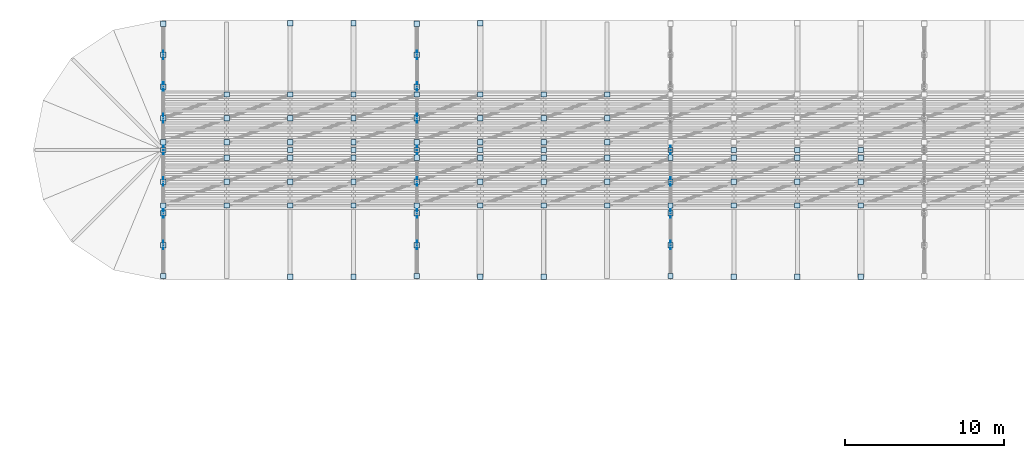
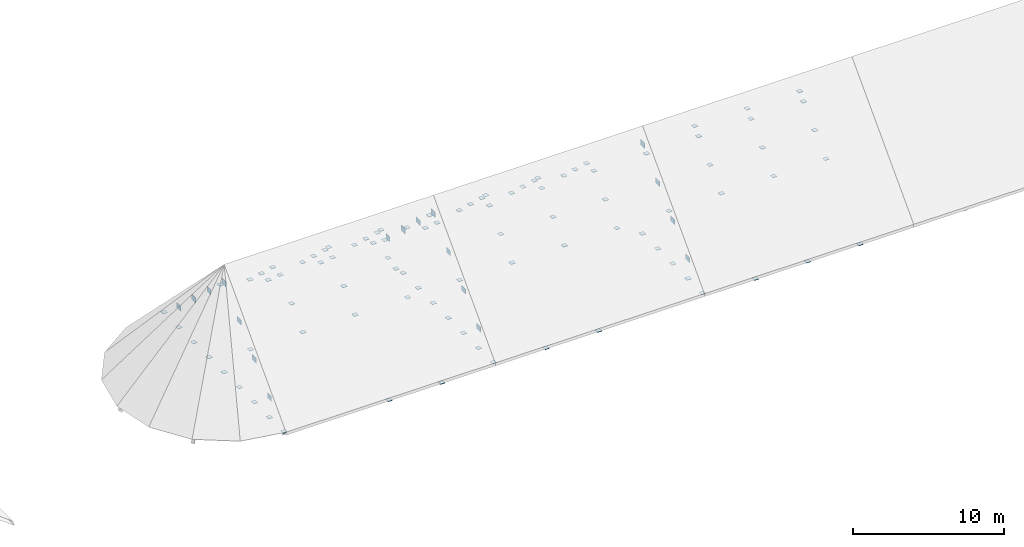
# One storey, part 14 of 18: 111 plates.
"""IFC4 building model written with IfcOpenShell, lengths in metres."""

import ifcopenshell
import ifcopenshell.guid

model = None  # the IFC model being written
_history = None  # IfcOwnerHistory: only IFC2X3 demands one
_inside = {}  # id of a spatial element -> (the spatial element, [elements in it])
_under = {}  # id of a project, library or spatial element -> (it, [spatial elements below it])
_declared = {}  # id of a project -> (the project, [libraries it declares])
_typed = {}  # id of a type object -> (the type object, [elements of that type])
_made_of = {}  # id of a material, layer set ... -> (it, [elements and type objects made of it])


def new_model(schema):
    """Start an empty IFC model of exactly this schema.

    Asked for "IFC4X3", IfcOpenShell would pick the latest addendum, in which some entities
    have other attributes; the version numbers below select the first issue.
    IFC2X3 requires an IfcOwnerHistory on every rooted entity: one is made here for all.
    """
    global model, _history
    if schema == "IFC4X3":
        model = ifcopenshell.file(schema_version=(4, 3, 0, 0))
    else:
        model = ifcopenshell.file(schema=schema)
    _inside.clear()
    _under.clear()
    _declared.clear()
    _typed.clear()
    _made_of.clear()
    _history = None
    if model.schema == "IFC2X3":
        org = make("IfcOrganization", Name="unknown")
        user = make(
            "IfcPersonAndOrganization",
            ThePerson=make("IfcPerson", FamilyName="unknown"),
            TheOrganization=org,
        )
        app = make(
            "IfcApplication",
            ApplicationDeveloper=org,
            Version="unknown",
            ApplicationFullName="unknown",
            ApplicationIdentifier="unknown",
        )
        _history = make(
            "IfcOwnerHistory",
            OwningUser=user,
            OwningApplication=app,
            ChangeAction="ADDED",
            CreationDate=0,
        )
    return model


def make(cls, **values):
    """One entity of the class cls with the attributes given. An attribute that is None is left unset."""
    return model.create_entity(
        cls, **{name: value for name, value in values.items() if value is not None}
    )


def rooted(cls, **values):
    """An entity with a GlobalId (a new one), such as an element, a storey or a relation."""
    return make(cls, GlobalId=ifcopenshell.guid.new(), OwnerHistory=_history, **values)


def si_unit(unit_type, name, prefix=None):
    """IfcSIUnit, for example si_unit("LENGTHUNIT", "METRE", prefix="MILLI")."""
    return make("IfcSIUnit", UnitType=unit_type, Prefix=prefix, Name=name)


def assignment(units):
    """IfcUnitAssignment: the units of a project."""
    return None if units is None else make("IfcUnitAssignment", Units=units)


def point(xyz):
    """IfcCartesianPoint."""
    return None if xyz is None else make("IfcCartesianPoint", Coordinates=xyz)


def direction(xyz):
    """IfcDirection."""
    return None if xyz is None else make("IfcDirection", DirectionRatios=xyz)


def frame(location, z_axis=None, x_axis=None):
    """IfcAxis2Placement3D, a coordinate frame: its origin and axes. An axis left out is left unset."""
    return make(
        "IfcAxis2Placement3D",
        Location=point(location),
        Axis=direction(z_axis),
        RefDirection=direction(x_axis),
    )


def frame_2d(location, x_axis=None):
    """IfcAxis2Placement2D, a coordinate frame in the plane: its origin and x axis."""
    return make(
        "IfcAxis2Placement2D", Location=point(location), RefDirection=direction(x_axis)
    )


def origin():
    """The frame at (0, 0, 0) with its axes left unset."""
    return frame((0.0, 0.0, 0.0))


def origin_2d():
    """The frame at (0, 0) in the plane with its x axis left unset."""
    return frame_2d((0.0, 0.0))


def place(relative_to, where):
    """IfcLocalPlacement: puts the frame where relative to a parent placement (None: the world)."""
    return make(
        "IfcLocalPlacement", PlacementRelTo=relative_to, RelativePlacement=where
    )


def context(
    kind, dimensions, precision=None, world=None, true_north=None, identifier=None
):
    """IfcGeometricRepresentationContext, for example the 3D "Model" context."""
    return make(
        "IfcGeometricRepresentationContext",
        ContextIdentifier=identifier,
        ContextType=kind,
        CoordinateSpaceDimension=dimensions,
        Precision=precision,
        WorldCoordinateSystem=world,
        TrueNorth=true_north,
    )


def subcontext(parent, identifier, kind, view, scale=None):
    """IfcGeometricRepresentationSubContext, for example "Body" below "Model"."""
    return make(
        "IfcGeometricRepresentationSubContext",
        ContextIdentifier=identifier,
        ContextType=kind,
        ParentContext=parent,
        TargetScale=scale,
        TargetView=view,
    )


def project(units=None, contexts=None):
    """IfcProject with its units and contexts."""
    return rooted(
        "IfcProject",
        Name="project",
        RepresentationContexts=contexts,
        UnitsInContext=assignment(units),
    )


def spatial(cls, under=None, at=None, **own):
    """A site, building, storey or space (cls), placed at a placement, below another one or the project."""
    s = rooted(cls, ObjectPlacement=at, **own)
    if under is not None:
        _under.setdefault(under.id(), (under, []))[1].append(s)
    return s


def profile(cls, at=None, kind="AREA", **sizes):
    """A parametric profile (cls). Its sizes go by their IFC names, for example OverallWidth=200.0."""
    return make(cls, ProfileType=kind, Position=at, **sizes)


def rectangle(**sizes):
    """IfcRectangleProfileDef."""
    return profile("IfcRectangleProfileDef", **sizes)


def extrude(swept, where, along, depth):
    """IfcExtrudedAreaSolid: the profile swept, set in the frame where, extruded along a direction by depth."""
    return make(
        "IfcExtrudedAreaSolid",
        SweptArea=swept,
        Position=where,
        ExtrudedDirection=direction(along),
        Depth=depth,
    )


def shape(context_of_items, identifier, shape_type, items):
    """IfcShapeRepresentation: the items that make up one representation, for example the "Body"."""
    return make(
        "IfcShapeRepresentation",
        ContextOfItems=context_of_items,
        RepresentationIdentifier=identifier,
        RepresentationType=shape_type,
        Items=items,
    )


def material(Name=None, Category=None):
    """IfcMaterial."""
    return make("IfcMaterial", Name=Name, Category=Category)


def layer(
    of_material, thickness, ventilated=None, Name=None, Category=None, Priority=None
):
    """IfcMaterialLayer: one layer of a wall or slab, of a material (None: an air gap)."""
    return make(
        "IfcMaterialLayer",
        Material=of_material,
        LayerThickness=thickness,
        IsVentilated=ventilated,
        Name=Name,
        Category=Category,
        Priority=Priority,
    )


def layer_set(layers, Name=None):
    """IfcMaterialLayerSet."""
    return make("IfcMaterialLayerSet", MaterialLayers=layers, LayerSetName=Name)


def made_of(thing, what):
    """Note that an element or type object is made of a material, layer set ...; save() writes the relation."""
    if what is not None:
        _made_of.setdefault(what.id(), (what, []))[1].append(thing)
    return thing


def type_object(cls, material=None, **own):
    """A type object (cls), such as IfcWallType, which elements share."""
    return made_of(rooted(cls, **own), material)


def element(
    cls,
    number,
    at=None,
    inside=None,
    cuts=None,
    type_object=None,
    material=None,
    context=None,
    identifier="Body",
    shape_type=None,
    held_by="IfcProductDefinitionShape",
    body=None,
    shapes=None,
    **own,
):
    """One element of the class cls, such as IfcWall. Its Tag is "e" and its number.

    at: its placement. inside: the storey or other place that contains it. cuts: it is an
    opening in that element (IfcRelVoidsElement). A single representation is given by context,
    identifier, shape_type and body (its items); several are given by shapes. held_by: the class
    of the entity that holds the representations. save() writes the other relations.
    """
    e = rooted(cls, Tag="e%d" % number, ObjectPlacement=at, **own)
    if body is not None:
        shapes = [shape(context, identifier, shape_type, body)]
    if shapes is not None:
        e.Representation = make(held_by, Representations=shapes)
    if inside is not None:
        _inside.setdefault(inside.id(), (inside, []))[1].append(e)
    if cuts is not None:
        rooted(
            "IfcRelVoidsElement", RelatingBuildingElement=cuts, RelatedOpeningElement=e
        )
    if type_object is not None:
        _typed.setdefault(type_object.id(), (type_object, []))[1].append(e)
    return made_of(e, material)


def aggregate(whole, parts):
    """IfcRelAggregates: a whole, such as a stair, and the parts it consists of."""
    return rooted("IfcRelAggregates", RelatingObject=whole, RelatedObjects=parts)


def save(model, path):
    """Write the relations noted so far, then the file.

    IfcRelAggregates (storeys below a building ...), IfcRelContainedInSpatialStructure (elements
    in a storey), IfcRelDefinesByType, IfcRelAssociatesMaterial and IfcRelDeclares: one each for
    every whole, place, type object, material and project.
    """
    for whole, parts in _under.values():
        aggregate(whole, parts)
    for where, things in _inside.values():
        rooted(
            "IfcRelContainedInSpatialStructure",
            RelatedElements=things,
            RelatingStructure=where,
        )
    for kind, things in _typed.values():
        rooted("IfcRelDefinesByType", RelatedObjects=things, RelatingType=kind)
    for what, things in _made_of.values():
        rooted("IfcRelAssociatesMaterial", RelatedObjects=things, RelatingMaterial=what)
    for by, libraries in _declared.values():
        rooted("IfcRelDeclares", RelatingContext=by, RelatedDefinitions=libraries)
    model.write(path)


model = new_model("IFC4")

# Units and contexts
model_context = context("Model", 3, precision=1e-05, world=origin(), true_north=direction((0.0, 1.0)))
body_context = subcontext(model_context, "Body", "Model", "MODEL_VIEW")
ifc_project = project(units=[si_unit("LENGTHUNIT", "METRE"), si_unit("AREAUNIT", "SQUARE_METRE"), si_unit("VOLUMEUNIT", "CUBIC_METRE"), si_unit("PLANEANGLEUNIT", "RADIAN"), si_unit("MASSUNIT", "GRAM", prefix="KILO")], contexts=[model_context])

# Site, building, storey
site_placement = place(None, origin())
site = spatial("IfcSite", under=ifc_project, at=site_placement, CompositionType="ELEMENT")
building_placement = place(site_placement, origin())
building = spatial("IfcBuilding", under=site, at=building_placement, Name="Serraluz Foothill Cableway Terminal", CompositionType="ELEMENT")
storey_placement = place(building_placement, frame((0.0, 0.0, 24.300048828125)))
storey = spatial("IfcBuildingStorey", under=building, at=storey_placement, Name="RF", CompositionType="ELEMENT", Elevation=24.300048828125)

# Plates
ifc_material = material(Name="Steel ASTM A572 Grade 50", Category="steel")
ifc_layer_1 = layer(ifc_material, 0.02001953125, Name="Steel ASTM A572 Grade 50", Category="steel")
ifc_layer_set_1 = layer_set([ifc_layer_1], Name="Steel ASTM A572 Grade 50")
plate_type_1 = type_object("IfcPlateType", Name="TYP-PL-GUS-20", PredefinedType="USERDEFINED", material=ifc_layer_set_1)
for number, where, z_axis, x_axis, name in (
    (1, (40.0, 58.0, -3.195068359375), (0.0, 0.0, 1.0), (1.0, 0.0, 0.0), "Truss Node Gusset Plate PL-GP-0001"),
    (2, (40.0, 70.0, -3.195068359375), (0.0, 0.0, 1.0), (1.0, 0.0, 0.0), "Truss Node Gusset Plate PL-GP-0007"),
    (3, (56.0, 58.0, -3.195068359375), (0.0, 0.0, 1.0), (1.0, 0.0, 0.0), "Truss Node Gusset Plate PL-GP-0008"),
    (4, (56.0, 70.0, -3.195068359375), (0.0, 0.0, 1.0), (1.0, 0.0, 0.0), "Truss Node Gusset Plate PL-GP-0014"),
    (5, (72.0, 58.0, -3.195068359375), (0.0, 0.0, 1.0), (1.0, 0.0, 0.0), "Truss Node Gusset Plate PL-GP-0015"),
):
    element("IfcPlate", number, at=place(storey_placement, frame(where, z_axis=z_axis, x_axis=x_axis)), inside=storey, type_object=plate_type_1, Name=name, ObjectType="GUSSET_PLATE", PredefinedType="USERDEFINED", context=body_context, shape_type="SweptSolid", body=[
        extrude(rectangle(XDim=0.02001953125, YDim=0.5400390625, at=origin_2d()), origin(), (0.0, 0.0, 1.0), 0.419921875),
    ])
for number, where, z_axis, x_axis, name in (
    (6, (40.0, 62.0, -4.6201171875), (0.0, 0.0, 1.0), (1.0, 0.0, 0.0), "Brace End Gusset Plate PL-END-0003"),
    (7, (40.0, 68.0, -4.6201171875), (0.0, 0.0, 1.0), (1.0, 0.0, 0.0), "Brace End Gusset Plate PL-END-0006"),
    (8, (40.0, 71.95263671875, -4.593017578125), (0.0, 0.0, 1.0), (1.0, 0.0, 0.0), "Brace End Gusset Plate PL-END-0009"),
    (9, (56.0, 58.0, -4.6201171875), (0.0, 0.0, 1.0), (1.0, 0.0, 0.0), "Brace End Gusset Plate PL-END-0012"),
    (10, (56.0, 64.0, -4.6201171875), (0.0, 0.0, 1.0), (1.0, 0.0, 0.0), "Brace End Gusset Plate PL-END-0015"),
    (11, (56.0, 70.0, -4.6201171875), (0.0, 0.0, 1.0), (1.0, 0.0, 0.0), "Brace End Gusset Plate PL-END-0018"),
    (12, (72.0, 60.0, -4.6201171875), (0.0, 0.0, 1.0), (1.0, 0.0, 0.0), "Brace End Gusset Plate PL-END-0024"),
    (13, (72.0, 56.04736328125, -4.593017578125), (0.0, 0.0, 1.0), (1.0, 0.0, 0.0), "Brace End Gusset Plate PL-END-0030"),
    (14, (48.0, 64.0, 2.68994140625), (0.0, 0.0, 1.0), (1.0, 0.0, 0.0), "Brace End Gusset Plate PL-END-0090"),
    (15, (52.0, 64.0, 2.68994140625), (0.0, 0.0, 1.0), (1.0, 0.0, 0.0), "Brace End Gusset Plate PL-END-0093"),
    (16, (60.0, 64.0, 2.68994140625), (0.0, 0.0, 1.0), (1.0, 0.0, 0.0), "Brace End Gusset Plate PL-END-0096"),
    (17, (64.0, 64.0, 2.68994140625), (0.0, 0.0, 1.0), (1.0, 0.0, 0.0), "Brace End Gusset Plate PL-END-0099"),
    (18, (44.0, 63.5, 2.1611328125), (0.0, 0.0, 1.0), (1.0, 0.0, 0.0), "Brace End Gusset Plate PL-END-0135"),
    (19, (44.0, 67.5, -0.6513671875), (0.0, 0.0, 1.0), (1.0, 0.0, 0.0), "Brace End Gusset Plate PL-END-0138"),
    (20, (48.0, 63.5, 2.1611328125), (0.0, 0.0, 1.0), (1.0, 0.0, 0.0), "Brace End Gusset Plate PL-END-0141"),
    (21, (48.0, 67.5, -0.6513671875), (0.0, 0.0, 1.0), (1.0, 0.0, 0.0), "Brace End Gusset Plate PL-END-0144"),
    (22, (52.0, 63.5, 2.1611328125), (0.0, 0.0, 1.0), (1.0, 0.0, 0.0), "Brace End Gusset Plate PL-END-0147"),
    (23, (52.0, 67.5, -0.6513671875), (0.0, 0.0, 1.0), (1.0, 0.0, 0.0), "Brace End Gusset Plate PL-END-0150"),
    (24, (52.0, 64.5, 2.1611328125), (0.0, 0.0, 1.0), (1.0, 0.0, 0.0), "Brace End Gusset Plate PL-END-0153"),
    (25, (60.0, 62.0, 0.7548828125), (0.0, 0.0, 1.0), (1.0, 0.0, 0.0), "Brace End Gusset Plate PL-END-0156"),
    (26, (60.0, 66.0, 0.7548828125), (0.0, 0.0, 1.0), (1.0, 0.0, 0.0), "Brace End Gusset Plate PL-END-0159"),
    (27, (64.0, 62.0, 0.7548828125), (0.0, 0.0, 1.0), (1.0, 0.0, 0.0), "Brace End Gusset Plate PL-END-0162"),
    (28, (64.0, 66.0, 0.7548828125), (0.0, 0.0, 1.0), (1.0, 0.0, 0.0), "Brace End Gusset Plate PL-END-0165"),
    (29, (68.0, 62.0, 0.7548828125), (0.0, 0.0, 1.0), (1.0, 0.0, 0.0), "Brace End Gusset Plate PL-END-0168"),
    (30, (68.0, 66.0, 0.7548828125), (0.0, 0.0, 1.0), (1.0, 0.0, 0.0), "Brace End Gusset Plate PL-END-0171"),
    (31, (72.0, 63.5, 2.1611328125), (0.0, 0.0, 1.0), (1.0, 0.0, 0.0), "Brace End Gusset Plate PL-END-0174"),
    (32, (72.0, 60.5, -0.6513671875), (0.0, 0.0, 1.0), (1.0, 0.0, 0.0), "Brace End Gusset Plate PL-END-0177"),
    (33, (76.0, 60.5, -0.6513671875), (0.0, 0.0, 1.0), (1.0, 0.0, 0.0), "Brace End Gusset Plate PL-END-0183"),
    (34, (80.0, 60.5, -0.6513671875), (0.0, 0.0, 1.0), (1.0, 0.0, 0.0), "Brace End Gusset Plate PL-END-0189"),
    (35, (84.0, 60.5, -0.6513671875), (0.0, 0.0, 1.0), (1.0, 0.0, 0.0), "Brace End Gusset Plate PL-END-0195"),
):
    element("IfcPlate", number, at=place(storey_placement, frame(where, z_axis=z_axis, x_axis=x_axis)), inside=storey, type_object=plate_type_1, Name=name, ObjectType="GUSSET_PLATE", PredefinedType="USERDEFINED", context=body_context, shape_type="SweptSolid", body=[
        extrude(rectangle(XDim=0.340087890625, YDim=0.340087890625, at=origin_2d()), origin(), (0.0, 0.0, 1.0), 0.02001953125),
    ])
ifc_layer_2 = layer(ifc_material, 0.02392578125, Name="Steel ASTM A572 Grade 50", Category="steel")
ifc_layer_set_2 = layer_set([ifc_layer_2], Name="Steel ASTM A572 Grade 50")
plate_type_2 = type_object("IfcPlateType", Name="TYP-PL-GUS-24", PredefinedType="USERDEFINED", material=ifc_layer_set_2)
for number, where, z_axis, x_axis, name in (
    (36, (40.0, 62.0, 0.554931640625), (0.0, 0.0, 1.0), (1.0, 0.0, 0.0), "Truss Node Gusset Plate PL-GP-0003"),
    (37, (40.0, 66.0, 0.554931640625), (0.0, 0.0, 1.0), (1.0, 0.0, 0.0), "Truss Node Gusset Plate PL-GP-0005"),
    (38, (56.0, 62.0, 0.554931640625), (0.0, 0.0, 1.0), (1.0, 0.0, 0.0), "Truss Node Gusset Plate PL-GP-0010"),
    (39, (56.0, 66.0, 0.554931640625), (0.0, 0.0, 1.0), (1.0, 0.0, 0.0), "Truss Node Gusset Plate PL-GP-0012"),
    (40, (72.0, 62.0, 0.554931640625), (0.0, 0.0, 1.0), (1.0, 0.0, 0.0), "Truss Node Gusset Plate PL-GP-0017"),
):
    element("IfcPlate", number, at=place(storey_placement, frame(where, z_axis=z_axis, x_axis=x_axis)), inside=storey, type_object=plate_type_2, Name=name, ObjectType="GUSSET_PLATE", PredefinedType="USERDEFINED", context=body_context, shape_type="SweptSolid", body=[
        extrude(rectangle(XDim=0.02392578125, YDim=0.5400390625, at=origin_2d()), origin(), (0.0, 0.0, 1.0), 0.419921875),
    ])
for number, where, z_axis, x_axis, name in (
    (41, (40.0, 58.0, -4.6220703125), (0.0, 0.0, 1.0), (1.0, 0.0, 0.0), "Brace End Gusset Plate PL-END-0001"),
    (42, (40.0, 64.0, -4.6220703125), (0.0, 0.0, 1.0), (1.0, 0.0, 0.0), "Brace End Gusset Plate PL-END-0004"),
    (43, (40.0, 70.0, -4.6220703125), (0.0, 0.0, 1.0), (1.0, 0.0, 0.0), "Brace End Gusset Plate PL-END-0007"),
    (44, (56.0, 60.0, -4.6220703125), (0.0, 0.0, 1.0), (1.0, 0.0, 0.0), "Brace End Gusset Plate PL-END-0013"),
    (45, (56.0, 66.0, -4.6220703125), (0.0, 0.0, 1.0), (1.0, 0.0, 0.0), "Brace End Gusset Plate PL-END-0016"),
    (46, (56.0, 56.04736328125, -4.594970703125), (0.0, 0.0, 1.0), (1.0, 0.0, 0.0), "Brace End Gusset Plate PL-END-0019"),
    (47, (72.0, 62.0, -4.6220703125), (0.0, 0.0, 1.0), (1.0, 0.0, 0.0), "Brace End Gusset Plate PL-END-0025"),
    (48, (48.0, 72.0, -4.81201171875), (0.0, 0.0, 1.0), (1.0, 0.0, 0.0), "Brace End Gusset Plate PL-END-0091"),
    (49, (52.0, 72.0, -4.81201171875), (0.0, 0.0, 1.0), (1.0, 0.0, 0.0), "Brace End Gusset Plate PL-END-0094"),
    (50, (60.0, 72.0, -4.81201171875), (0.0, 0.0, 1.0), (1.0, 0.0, 0.0), "Brace End Gusset Plate PL-END-0097"),
    (51, (76.0, 56.0, -4.81201171875), (0.0, 0.0, 1.0), (1.0, 0.0, 0.0), "Brace End Gusset Plate PL-END-0100"),
    (52, (80.0, 56.0, -4.81201171875), (0.0, 0.0, 1.0), (1.0, 0.0, 0.0), "Brace End Gusset Plate PL-END-0103"),
    (53, (84.0, 56.0, -4.81201171875), (0.0, 0.0, 1.0), (1.0, 0.0, 0.0), "Brace End Gusset Plate PL-END-0106"),
    (54, (40.0, 60.5, -0.6533203125), (0.0, 0.0, 1.0), (1.0, 0.0, 0.0), "Brace End Gusset Plate PL-END-0133"),
    (55, (40.0, 64.5, 2.1591796875), (0.0, 0.0, 1.0), (1.0, 0.0, 0.0), "Brace End Gusset Plate PL-END-0136"),
    (56, (44.0, 60.5, -0.6533203125), (0.0, 0.0, 1.0), (1.0, 0.0, 0.0), "Brace End Gusset Plate PL-END-0139"),
    (57, (44.0, 64.5, 2.1591796875), (0.0, 0.0, 1.0), (1.0, 0.0, 0.0), "Brace End Gusset Plate PL-END-0142"),
    (58, (48.0, 60.5, -0.6533203125), (0.0, 0.0, 1.0), (1.0, 0.0, 0.0), "Brace End Gusset Plate PL-END-0145"),
    (59, (48.0, 64.5, 2.1591796875), (0.0, 0.0, 1.0), (1.0, 0.0, 0.0), "Brace End Gusset Plate PL-END-0148"),
    (60, (52.0, 60.5, -0.6533203125), (0.0, 0.0, 1.0), (1.0, 0.0, 0.0), "Brace End Gusset Plate PL-END-0151"),
    (61, (56.0, 67.5, -0.6533203125), (0.0, 0.0, 1.0), (1.0, 0.0, 0.0), "Brace End Gusset Plate PL-END-0154"),
    (62, (60.0, 63.5, 2.1591796875), (0.0, 0.0, 1.0), (1.0, 0.0, 0.0), "Brace End Gusset Plate PL-END-0157"),
    (63, (60.0, 67.5, -0.6533203125), (0.0, 0.0, 1.0), (1.0, 0.0, 0.0), "Brace End Gusset Plate PL-END-0160"),
    (64, (64.0, 63.5, 2.1591796875), (0.0, 0.0, 1.0), (1.0, 0.0, 0.0), "Brace End Gusset Plate PL-END-0163"),
    (65, (64.0, 67.5, -0.6533203125), (0.0, 0.0, 1.0), (1.0, 0.0, 0.0), "Brace End Gusset Plate PL-END-0166"),
    (66, (68.0, 63.5, 2.1591796875), (0.0, 0.0, 1.0), (1.0, 0.0, 0.0), "Brace End Gusset Plate PL-END-0169"),
    (67, (68.0, 67.5, -0.6533203125), (0.0, 0.0, 1.0), (1.0, 0.0, 0.0), "Brace End Gusset Plate PL-END-0172"),
    (68, (68.0, 64.5, 2.1591796875), (0.0, 0.0, 1.0), (1.0, 0.0, 0.0), "Brace End Gusset Plate PL-END-0175"),
    (69, (76.0, 62.0, 0.7529296875), (0.0, 0.0, 1.0), (1.0, 0.0, 0.0), "Brace End Gusset Plate PL-END-0178"),
    (70, (80.0, 62.0, 0.7529296875), (0.0, 0.0, 1.0), (1.0, 0.0, 0.0), "Brace End Gusset Plate PL-END-0184"),
    (71, (84.0, 62.0, 0.7529296875), (0.0, 0.0, 1.0), (1.0, 0.0, 0.0), "Brace End Gusset Plate PL-END-0190"),
):
    element("IfcPlate", number, at=place(storey_placement, frame(where, z_axis=z_axis, x_axis=x_axis)), inside=storey, type_object=plate_type_2, Name=name, ObjectType="GUSSET_PLATE", PredefinedType="USERDEFINED", context=body_context, shape_type="SweptSolid", body=[
        extrude(rectangle(XDim=0.340087890625, YDim=0.340087890625, at=origin_2d()), origin(), (0.0, 0.0, 1.0), 0.02392578125),
    ])
ifc_layer_3 = layer(ifc_material, 0.030029296875, Name="Steel ASTM A572 Grade 50", Category="steel")
ifc_layer_set_3 = layer_set([ifc_layer_3], Name="Steel ASTM A572 Grade 50")
plate_type_3 = type_object("IfcPlateType", Name="TYP-PL-GUS-30", PredefinedType="USERDEFINED", material=ifc_layer_set_3)
for number, where, z_axis, x_axis, name in (
    (72, (40.0, 64.0, 2.429931640625), (0.0, 0.0, 1.0), (1.0, 0.0, 0.0), "Truss Node Gusset Plate PL-GP-0004"),
    (73, (56.0, 64.0, 2.429931640625), (0.0, 0.0, 1.0), (1.0, 0.0, 0.0), "Truss Node Gusset Plate PL-GP-0011"),
    (74, (72.0, 64.0, 2.429931640625), (0.0, 0.0, 1.0), (1.0, 0.0, 0.0), "Truss Node Gusset Plate PL-GP-0018"),
):
    element("IfcPlate", number, at=place(storey_placement, frame(where, z_axis=z_axis, x_axis=x_axis)), inside=storey, type_object=plate_type_3, Name=name, ObjectType="GUSSET_PLATE", PredefinedType="USERDEFINED", context=body_context, shape_type="SweptSolid", body=[
        extrude(rectangle(XDim=0.030029296875, YDim=0.5400390625, at=origin_2d()), origin(), (0.0, 0.0, 1.0), 0.419921875),
    ])
for number, where, z_axis, x_axis, name in (
    (75, (40.0, 60.0, -4.625), (0.0, 0.0, 1.0), (1.0, 0.0, 0.0), "Brace End Gusset Plate PL-END-0002"),
    (76, (40.0, 66.0, -4.625), (0.0, 0.0, 1.0), (1.0, 0.0, 0.0), "Brace End Gusset Plate PL-END-0005"),
    (77, (40.0, 56.04736328125, -4.59814453125), (0.0, 0.0, 1.0), (1.0, 0.0, 0.0), "Brace End Gusset Plate PL-END-0008"),
    (78, (56.0, 62.0, -4.625), (0.0, 0.0, 1.0), (1.0, 0.0, 0.0), "Brace End Gusset Plate PL-END-0014"),
    (79, (56.0, 68.0, -4.625), (0.0, 0.0, 1.0), (1.0, 0.0, 0.0), "Brace End Gusset Plate PL-END-0017"),
    (80, (56.0, 71.95263671875, -4.59814453125), (0.0, 0.0, 1.0), (1.0, 0.0, 0.0), "Brace End Gusset Plate PL-END-0020"),
    (81, (72.0, 58.0, -4.625), (0.0, 0.0, 1.0), (1.0, 0.0, 0.0), "Brace End Gusset Plate PL-END-0023"),
    (82, (72.0, 64.0, -4.625), (0.0, 0.0, 1.0), (1.0, 0.0, 0.0), "Brace End Gusset Plate PL-END-0026"),
    (83, (48.0, 56.0, -4.81494140625), (0.0, 0.0, 1.0), (1.0, 0.0, 0.0), "Brace End Gusset Plate PL-END-0089"),
    (84, (52.0, 56.0, -4.81494140625), (0.0, 0.0, 1.0), (1.0, 0.0, 0.0), "Brace End Gusset Plate PL-END-0092"),
    (85, (60.0, 56.0, -4.81494140625), (0.0, 0.0, 1.0), (1.0, 0.0, 0.0), "Brace End Gusset Plate PL-END-0095"),
    (86, (64.0, 56.0, -4.81494140625), (0.0, 0.0, 1.0), (1.0, 0.0, 0.0), "Brace End Gusset Plate PL-END-0098"),
    (87, (76.0, 64.0, 2.68505859375), (0.0, 0.0, 1.0), (1.0, 0.0, 0.0), "Brace End Gusset Plate PL-END-0101"),
    (88, (80.0, 64.0, 2.68505859375), (0.0, 0.0, 1.0), (1.0, 0.0, 0.0), "Brace End Gusset Plate PL-END-0104"),
    (89, (84.0, 64.0, 2.68505859375), (0.0, 0.0, 1.0), (1.0, 0.0, 0.0), "Brace End Gusset Plate PL-END-0107"),
    (90, (44.0, 62.0, 0.75), (0.0, 0.0, 1.0), (1.0, 0.0, 0.0), "Brace End Gusset Plate PL-END-0134"),
    (91, (44.0, 66.0, 0.75), (0.0, 0.0, 1.0), (1.0, 0.0, 0.0), "Brace End Gusset Plate PL-END-0137"),
    (92, (48.0, 62.0, 0.75), (0.0, 0.0, 1.0), (1.0, 0.0, 0.0), "Brace End Gusset Plate PL-END-0140"),
    (93, (48.0, 66.0, 0.75), (0.0, 0.0, 1.0), (1.0, 0.0, 0.0), "Brace End Gusset Plate PL-END-0143"),
    (94, (52.0, 62.0, 0.75), (0.0, 0.0, 1.0), (1.0, 0.0, 0.0), "Brace End Gusset Plate PL-END-0146"),
    (95, (52.0, 66.0, 0.75), (0.0, 0.0, 1.0), (1.0, 0.0, 0.0), "Brace End Gusset Plate PL-END-0149"),
    (96, (56.0, 63.5, 2.15625), (0.0, 0.0, 1.0), (1.0, 0.0, 0.0), "Brace End Gusset Plate PL-END-0152"),
    (97, (56.0, 60.5, -0.65625), (0.0, 0.0, 1.0), (1.0, 0.0, 0.0), "Brace End Gusset Plate PL-END-0155"),
    (98, (56.0, 64.5, 2.15625), (0.0, 0.0, 1.0), (1.0, 0.0, 0.0), "Brace End Gusset Plate PL-END-0158"),
    (99, (60.0, 60.5, -0.65625), (0.0, 0.0, 1.0), (1.0, 0.0, 0.0), "Brace End Gusset Plate PL-END-0161"),
    (100, (60.0, 64.5, 2.15625), (0.0, 0.0, 1.0), (1.0, 0.0, 0.0), "Brace End Gusset Plate PL-END-0164"),
    (101, (64.0, 60.5, -0.65625), (0.0, 0.0, 1.0), (1.0, 0.0, 0.0), "Brace End Gusset Plate PL-END-0167"),
    (102, (64.0, 64.5, 2.15625), (0.0, 0.0, 1.0), (1.0, 0.0, 0.0), "Brace End Gusset Plate PL-END-0170"),
    (103, (68.0, 60.5, -0.65625), (0.0, 0.0, 1.0), (1.0, 0.0, 0.0), "Brace End Gusset Plate PL-END-0173"),
    (104, (76.0, 63.5, 2.15625), (0.0, 0.0, 1.0), (1.0, 0.0, 0.0), "Brace End Gusset Plate PL-END-0179"),
    (105, (80.0, 63.5, 2.15625), (0.0, 0.0, 1.0), (1.0, 0.0, 0.0), "Brace End Gusset Plate PL-END-0185"),
    (106, (84.0, 63.5, 2.15625), (0.0, 0.0, 1.0), (1.0, 0.0, 0.0), "Brace End Gusset Plate PL-END-0191"),
):
    element("IfcPlate", number, at=place(storey_placement, frame(where, z_axis=z_axis, x_axis=x_axis)), inside=storey, type_object=plate_type_3, Name=name, ObjectType="GUSSET_PLATE", PredefinedType="USERDEFINED", context=body_context, shape_type="SweptSolid", body=[
        extrude(rectangle(XDim=0.340087890625, YDim=0.340087890625, at=origin_2d()), origin(), (0.0, 0.0, 1.0), 0.030029296875),
    ])
ifc_layer_4 = layer(ifc_material, 0.035888671875, Name="Steel ASTM A572 Grade 50", Category="steel")
ifc_layer_set_4 = layer_set([ifc_layer_4], Name="Steel ASTM A572 Grade 50")
plate_type_4 = type_object("IfcPlateType", Name="TYP-PL-GUS-36", PredefinedType="USERDEFINED", material=ifc_layer_set_4)
for number, where, z_axis, x_axis, name in (
    (107, (40.0, 60.0, -1.320068359375), (0.0, 0.0, 1.0), (1.0, 0.0, 0.0), "Truss Node Gusset Plate PL-GP-0002"),
    (108, (40.0, 68.0, -1.320068359375), (0.0, 0.0, 1.0), (1.0, 0.0, 0.0), "Truss Node Gusset Plate PL-GP-0006"),
    (109, (56.0, 60.0, -1.320068359375), (0.0, 0.0, 1.0), (1.0, 0.0, 0.0), "Truss Node Gusset Plate PL-GP-0009"),
    (110, (56.0, 68.0, -1.320068359375), (0.0, 0.0, 1.0), (1.0, 0.0, 0.0), "Truss Node Gusset Plate PL-GP-0013"),
    (111, (72.0, 60.0, -1.320068359375), (0.0, 0.0, 1.0), (1.0, 0.0, 0.0), "Truss Node Gusset Plate PL-GP-0016"),
):
    element("IfcPlate", number, at=place(storey_placement, frame(where, z_axis=z_axis, x_axis=x_axis)), inside=storey, type_object=plate_type_4, Name=name, ObjectType="GUSSET_PLATE", PredefinedType="USERDEFINED", context=body_context, shape_type="SweptSolid", body=[
        extrude(rectangle(XDim=0.035888671875, YDim=0.5400390625, at=origin_2d()), origin(), (0.0, 0.0, 1.0), 0.419921875),
    ])

save(model, "model.ifc")
